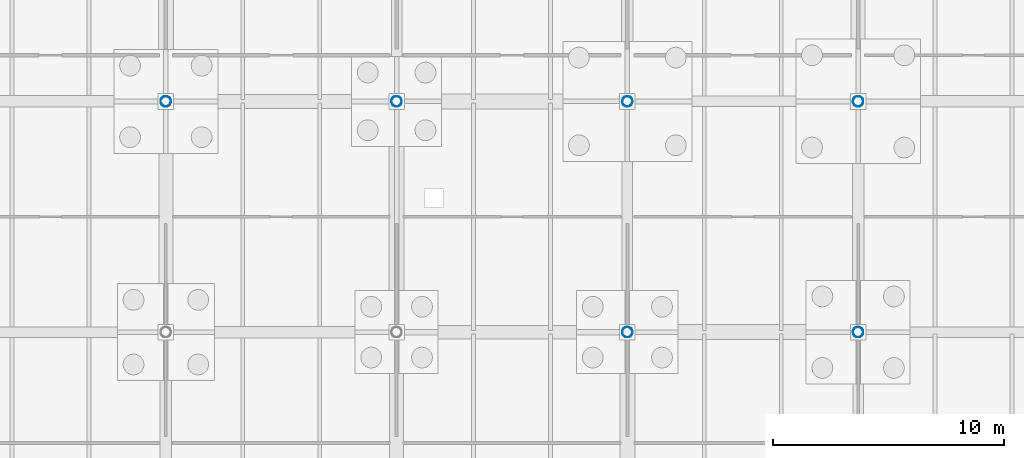
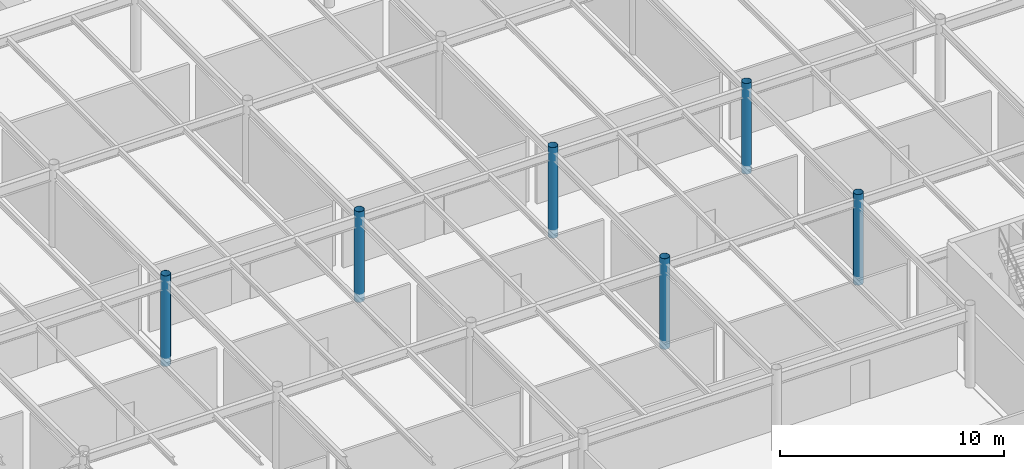
# One storey, part 22 of 75: 6 columns.
"""IFC4 building model written with IfcOpenShell, lengths in metres."""

from ifc_helpers import new_model, si_unit, derived_unit, direction, frame, origin, origin_2d_with_axis, place, context, subcontext, project, spatial, hollow_circle, extrude, material, material_profile, profile_set, type_object, element, save


model = new_model("IFC4")

# Units and contexts
model_context = context("Model", 3, precision=1e-05, world=origin(), true_north=direction((0.0, 1.0)))
body_context = subcontext(model_context, "Body", "Model", "MODEL_VIEW")
ifc_project = project(units=[si_unit("LENGTHUNIT", "METRE"), si_unit("AREAUNIT", "SQUARE_METRE"), si_unit("VOLUMEUNIT", "CUBIC_METRE"), si_unit("PLANEANGLEUNIT", "RADIAN"), si_unit("MASSUNIT", "GRAM", prefix="KILO"), derived_unit("THERMALTRANSMITTANCEUNIT", [(si_unit("POWERUNIT", "WATT"), 1), (si_unit("LENGTHUNIT", "METRE"), -2), (si_unit("THERMODYNAMICTEMPERATUREUNIT", "KELVIN"), -1)])], contexts=[model_context])

# Site, building, storey
site_placement = place(None, origin())
site = spatial("IfcSite", under=ifc_project, at=site_placement, CompositionType="ELEMENT")
building_placement = place(site_placement, origin())
building = spatial("IfcBuilding", under=site, at=building_placement, Name="Cinnabar Yard Market Hall", CompositionType="ELEMENT")
storey_placement = place(building_placement, frame((0.0, 0.0, -4.5)))
storey = spatial("IfcBuildingStorey", under=building, at=storey_placement, Name="B1", CompositionType="ELEMENT", Elevation=-4.5)

# Columns
ifc_material = material(Name="Spotted-gum glulam-clad steel Grade 350 (350 MPa)", Category="steel")
ifc_material_profile = material_profile(ifc_material, hollow_circle(Radius=0.228515625, WallThickness=0.0126953125, at=origin_2d_with_axis()), Name="457.0x12.7CHS")
ifc_profile_set = profile_set([ifc_material_profile], Name="Spotted-gum glulam-clad steel Grade 350 (350 MPa)")
column_type = type_object("IfcColumnType", Name="COL-C01", PredefinedType="COLUMN", material=ifc_profile_set)
for number, where, z_axis, x_axis, name in (
    (1, (106.0, 44.0, -0.449951171875), (0.0, 0.0, 1.0), (1.0, 0.0, 0.0), "Tree Column V1I-04-03 B1"),
    (2, (116.0, 44.0, -0.449951171875), (0.0, 0.0, 1.0), (1.0, 0.0, 0.0), "Tree Column V1I-05-03 B1"),
    (3, (126.0, 34.0, -0.449951171875), (0.0, 0.0, 1.0), (1.0, 0.0, 0.0), "Tree Column V1I-06-02 B1"),
    (4, (126.0, 44.0, -0.449951171875), (0.0, 0.0, 1.0), (1.0, 0.0, 0.0), "Tree Column V1I-06-03 B1"),
    (5, (136.0, 34.0, -0.449951171875), (0.0, 0.0, 1.0), (1.0, 0.0, 0.0), "Tree Column V1I-07-02 B1"),
    (6, (136.0, 44.0, -0.449951171875), (0.0, 0.0, 1.0), (1.0, 0.0, 0.0), "Tree Column V1I-07-03 B1"),
):
    element("IfcColumn", number, at=place(storey_placement, frame(where, z_axis=z_axis, x_axis=x_axis)), inside=storey, type_object=column_type, Name=name, PredefinedType="COLUMN", context=body_context, shape_type="SweptSolid", body=[
        extrude(hollow_circle(Radius=0.228515625, WallThickness=0.0126953125, at=origin_2d_with_axis()), origin(), (0.0, 0.0, 1.0), 4.949951171875),
    ])

save(model, "model.ifc")
